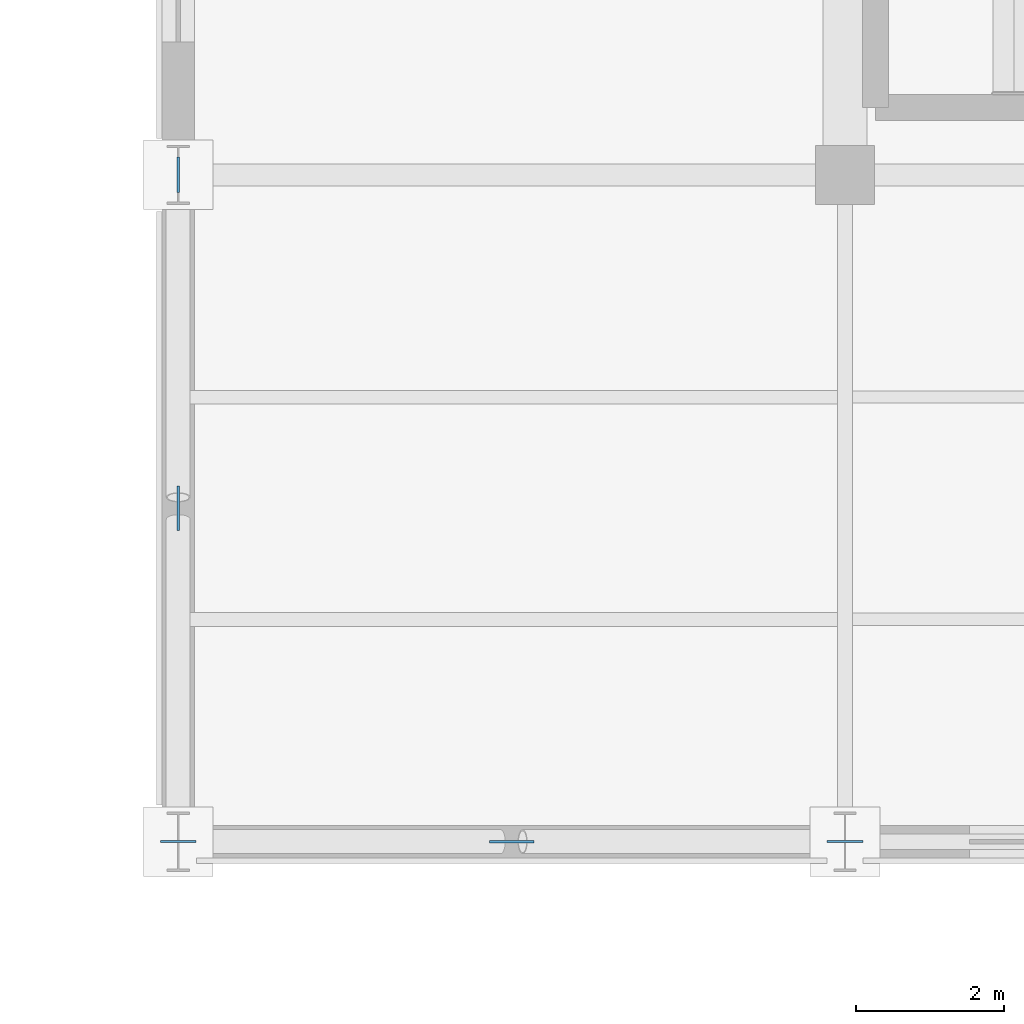
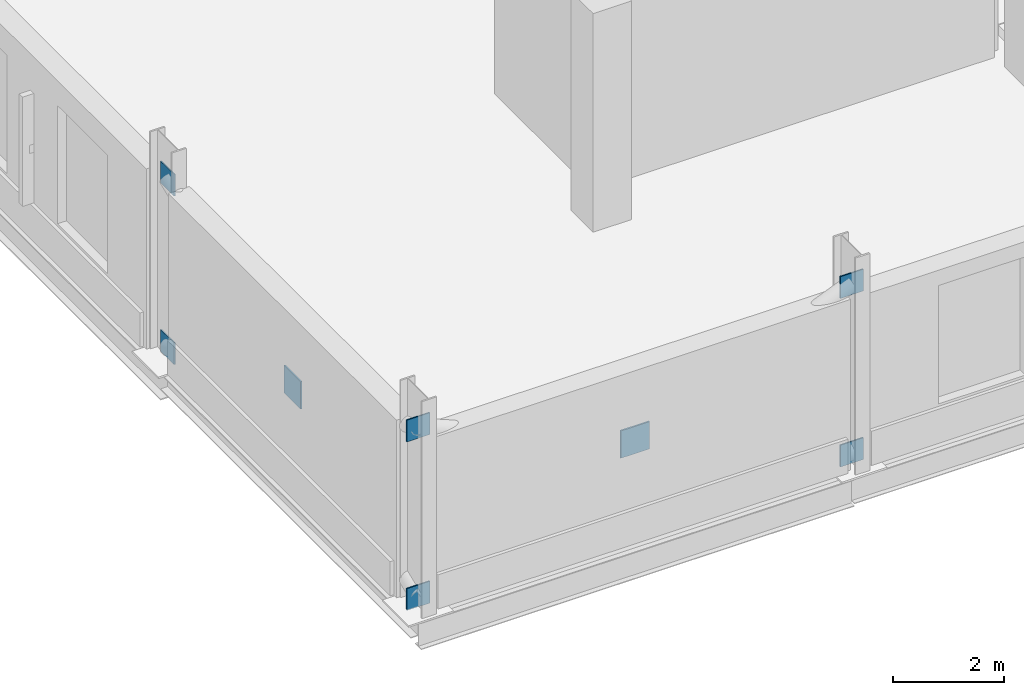
# One storey, part 22 of 54: 8 plates.
"""IFC4 building model written with IfcOpenShell, lengths in metres."""

from ifc_helpers import new_model, si_unit, direction, frame, origin, origin_2d, place, context, subcontext, project, spatial, rectangle, extrude, material, layer, layer_set, type_object, element, save


model = new_model("IFC4")

# Units and contexts
model_context = context("Model", 3, precision=1e-05, world=origin(), true_north=direction((0.0, 1.0)))
body_context = subcontext(model_context, "Body", "Model", "MODEL_VIEW")
ifc_project = project(units=[si_unit("LENGTHUNIT", "METRE"), si_unit("AREAUNIT", "SQUARE_METRE"), si_unit("VOLUMEUNIT", "CUBIC_METRE"), si_unit("PLANEANGLEUNIT", "RADIAN"), si_unit("MASSUNIT", "GRAM", prefix="KILO")], contexts=[model_context])

# Site, building, storey
site_placement = place(None, origin())
site = spatial("IfcSite", under=ifc_project, at=site_placement, CompositionType="ELEMENT")
building_placement = place(site_placement, origin())
building = spatial("IfcBuilding", under=site, at=building_placement, Name="Sundgate Opera House", CompositionType="ELEMENT")
storey_placement = place(building_placement, frame((0.0, 0.0, 16.800048828125)))
storey = spatial("IfcBuildingStorey", under=building, at=storey_placement, Name="L03", CompositionType="ELEMENT", Elevation=16.800048828125)

# Plates
ifc_material_1 = material(Name="Steel S355J2", Category="steel")
ifc_layer_1 = layer(ifc_material_1, 0.028076171875)
ifc_layer_set_1 = layer_set([ifc_layer_1], Name="Steel S355J2")
plate_type_1 = type_object("IfcPlateType", Name="PT-GUS-28", PredefinedType="USERDEFINED", material=ifc_layer_set_1)
for number, where, z_axis, x_axis, name in (
    (1, (27.0, 33.0, 0.010009765625), (0.0, 0.0, 1.0), (1.0, 0.0, 0.0), "L03 Belt-Truss End Gusset"),
    (2, (36.0, 33.0, 3.7099609375), (0.0, 0.0, 1.0), (1.0, 0.0, 0.0), "L03 Belt-Truss End Gusset"),
    (3, (36.0, 33.0, 0.010009765625), (0.0, 0.0, 1.0), (1.0, 0.0, 0.0), "L03 Belt-Truss End Gusset"),
    (4, (27.0, 33.0, 3.7099609375), (0.0, 0.0, 1.0), (1.0, 0.0, 0.0), "L03 Belt-Truss End Gusset"),
):
    element("IfcPlate", number, at=place(storey_placement, frame(where, z_axis=z_axis, x_axis=x_axis)), inside=storey, type_object=plate_type_1, Name=name, ObjectType="GUSSET PLATE", PredefinedType="USERDEFINED", context=body_context, shape_type="SweptSolid", body=[
        extrude(rectangle(XDim=0.47998046875, YDim=0.028076171875, at=origin_2d()), origin(), (0.0, 0.0, 1.0), 0.47998046875),
    ])
for number, where, z_axis, x_axis, name in (
    (5, (27.0, 42.0, 3.7099609375), (0.0, 0.0, 1.0), (1.0, 0.0, 0.0), "L03 Belt-Truss End Gusset"),
    (6, (27.0, 42.0, 0.010009765625), (0.0, 0.0, 1.0), (1.0, 0.0, 0.0), "L03 Belt-Truss End Gusset"),
):
    element("IfcPlate", number, at=place(storey_placement, frame(where, z_axis=z_axis, x_axis=x_axis)), inside=storey, type_object=plate_type_1, Name=name, ObjectType="GUSSET PLATE", PredefinedType="USERDEFINED", context=body_context, shape_type="SweptSolid", body=[
        extrude(rectangle(XDim=0.028076171875, YDim=0.47998046875, at=origin_2d()), origin(), (0.0, 0.0, 1.0), 0.47998046875),
    ])
ifc_material_2 = material(Name="Steel S355J2", Category="steel")
ifc_layer_2 = layer(ifc_material_2, 0.031982421875)
ifc_layer_set_2 = layer_set([ifc_layer_2], Name="Steel S355J2")
plate_type_2 = type_object("IfcPlateType", Name="PT-GUS-32", PredefinedType="USERDEFINED", material=ifc_layer_set_2)
plate_1_placement = place(storey_placement, frame((31.5, 33.0, 1.7998046875), z_axis=(0.0, 0.0, 1.0), x_axis=(1.0, 0.0, 0.0)))
element("IfcPlate", 7, at=plate_1_placement, inside=storey, type_object=plate_type_2, Name="L03 Belt-Truss Central Crossing Gusset", ObjectType="GUSSET PLATE", PredefinedType="USERDEFINED", context=body_context, shape_type="SweptSolid", body=[
    extrude(rectangle(XDim=0.60009765625, YDim=0.031982421875, at=origin_2d()), origin(), (0.0, 0.0, 1.0), 0.60009765625),
])
plate_2_placement = place(storey_placement, frame((27.0, 37.5, 1.7998046875), z_axis=(0.0, 0.0, 1.0), x_axis=(1.0, 0.0, 0.0)))
element("IfcPlate", 8, at=plate_2_placement, inside=storey, type_object=plate_type_2, Name="L03 Belt-Truss Central Crossing Gusset", ObjectType="GUSSET PLATE", PredefinedType="USERDEFINED", context=body_context, shape_type="SweptSolid", body=[
    extrude(rectangle(XDim=0.031982421875, YDim=0.60009765625, at=origin_2d()), origin(), (0.0, 0.0, 1.0), 0.60009765625),
])

save(model, "model.ifc")
